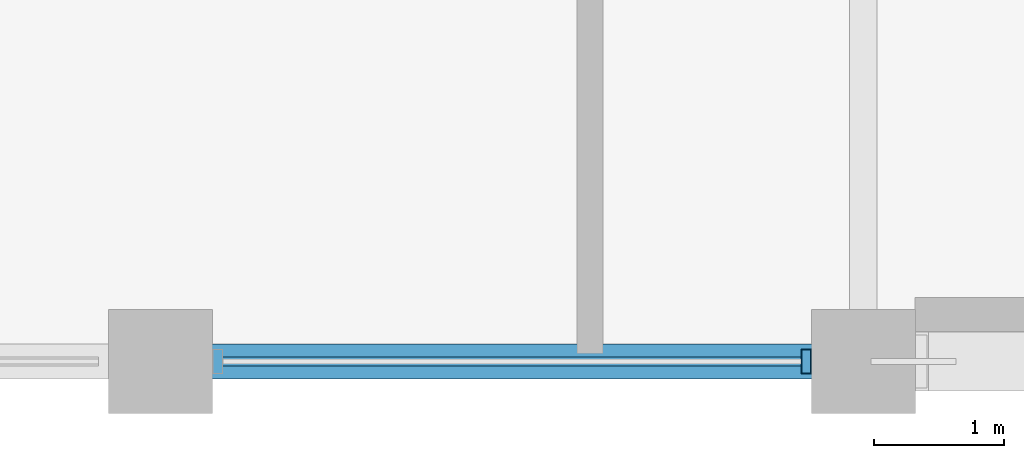
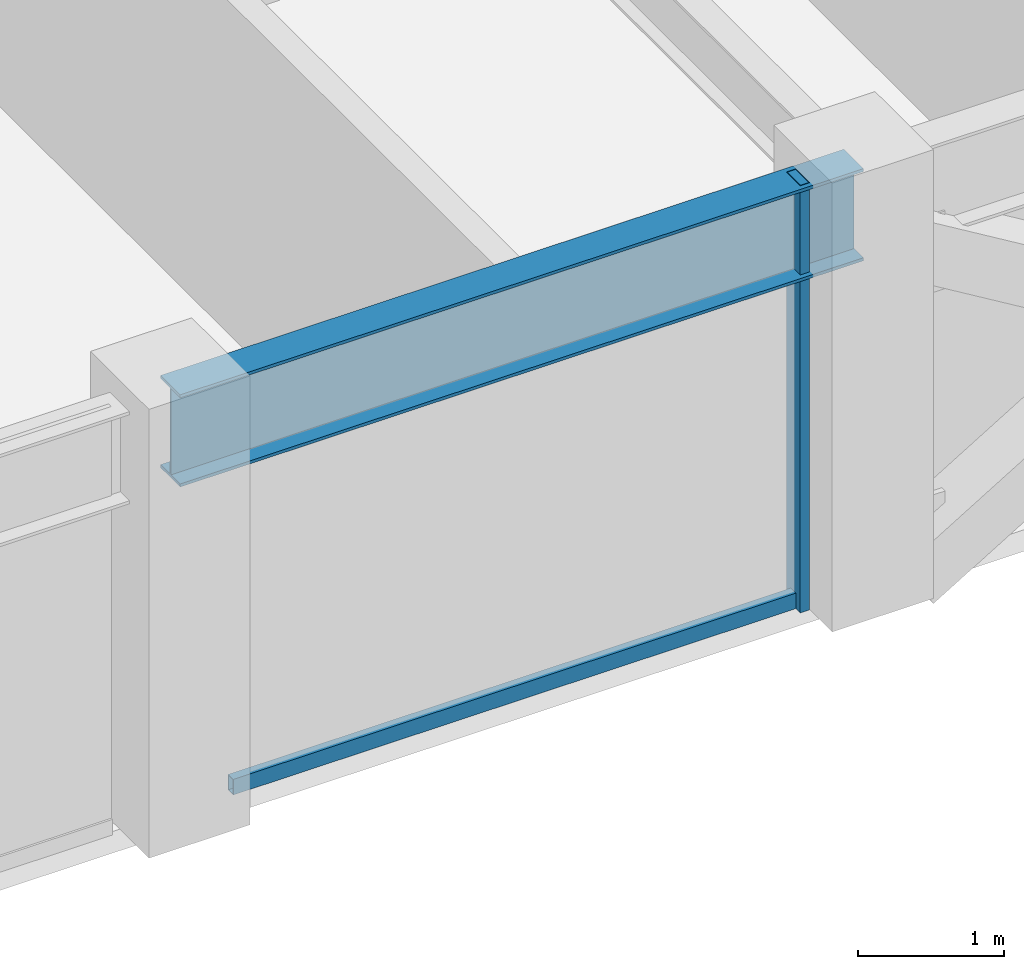
# One storey, part 3 of 32: 2 members, 1 beam, 1 element without a shape of its own.
"""IFC4 building model written with IfcOpenShell, lengths in metres."""

from ifc_helpers import new_model, si_unit, direction, frame, origin, origin_2d, place, context, subcontext, project, spatial, hollow_rectangle, i_section, extrude, material, layer, layer_set, material_profile, profile_set, type_object, element, aggregate, save


model = new_model("IFC4")

# Units and contexts
model_context = context("Model", 3, precision=1e-05, world=origin(), true_north=direction((0.0, 1.0)))
body_context = subcontext(model_context, "Body", "Model", "MODEL_VIEW")
ifc_project = project(units=[si_unit("LENGTHUNIT", "METRE"), si_unit("AREAUNIT", "SQUARE_METRE"), si_unit("VOLUMEUNIT", "CUBIC_METRE"), si_unit("PLANEANGLEUNIT", "RADIAN"), si_unit("MASSUNIT", "GRAM", prefix="KILO")], contexts=[model_context])

# Site, building, storey
site_placement = place(None, origin())
site = spatial("IfcSite", under=ifc_project, at=site_placement, CompositionType="ELEMENT")
building_placement = place(site_placement, origin())
building = spatial("IfcBuilding", under=site, at=building_placement, Name="Surkhivell Harbour Commons", CompositionType="ELEMENT")
storey_placement = place(building_placement, frame((0.0, 0.0, 223.5)))
storey = spatial("IfcBuildingStorey", under=building, at=storey_placement, Name="L58", CompositionType="ELEMENT", Elevation=223.5)

# Beam
ifc_material_1 = material(Name="Steel S355", Category="steel")
ifc_material_profile_1 = material_profile(ifc_material_1, i_section(OverallWidth=0.26806640625, OverallDepth=0.77001953125, WebThickness=0.015625, FlangeThickness=0.025390625, at=origin_2d()), Name="UB762x267x197")
ifc_profile_set_1 = profile_set([ifc_material_profile_1], Name="Steel S355")
beam_type = type_object("IfcBeamType", Name="BM-SPN-762", PredefinedType="SPANDREL", material=ifc_profile_set_1)
beam_placement = place(storey_placement, frame((-16.199951171875, -21.60009765625, 3.18505859375), z_axis=(1.0, 0.0, 0.0), x_axis=(0.0, 1.0, 0.0)))
element("IfcBeam", 1, at=beam_placement, inside=storey, type_object=beam_type, Name="L58 Tube Spandrel (-16.2,-21.6)", PredefinedType="SPANDREL", context=body_context, shape_type="SweptSolid", body=[
    extrude(i_section(OverallWidth=0.26806640625, OverallDepth=0.77001953125, WebThickness=0.015625, FlangeThickness=0.025390625, at=origin_2d()), origin(), (0.0, 0.0, 1.0), 5.39990234375),
])

# Curtain wall, members
ifc_material_2 = material(Name="Anodised pale-metal aluminium and insulated glazing", Category="aluminium")
ifc_layer = layer(ifc_material_2, 0.18994140625)
ifc_layer_set = layer_set([ifc_layer], Name="Anodised pale-metal aluminium and insulated glazing")
curtain_wall_type = type_object("IfcCurtainWallType", Name="CW-SYS-Z3", PredefinedType="NOTDEFINED", material=ifc_layer_set)
curtain_wall_placement = place(storey_placement, origin())
curtain_wall = element("IfcCurtainWall", 2, at=curtain_wall_placement, inside=storey, type_object=curtain_wall_type, Name="L58 Curtain Wall CW-L58-E00S1", PredefinedType="NOTDEFINED")
ifc_material_3 = material(Name="Anodised pale-metal aluminium alloy 6063-T6", Category="aluminium")
ifc_material_profile_2 = material_profile(ifc_material_3, hollow_rectangle(XDim=0.074951171875, YDim=0.18994140625, WallThickness=0.00390625, at=origin_2d()), Name="ALU-MULL-75x190")
ifc_profile_set_2 = profile_set([ifc_material_profile_2], Name="Anodised pale-metal aluminium alloy 6063-T6")
member_type_1 = type_object("IfcMemberType", Name="CWM-190", PredefinedType="MULLION", material=ifc_profile_set_2)
member_1_placement = place(storey_placement, frame((-11.239501953125, -21.60009765625, 0.0), z_axis=(0.0, 0.0, 1.0), x_axis=(1.0, 0.0, 0.0)))
member_1 = element("IfcMember", 3, at=member_1_placement, type_object=member_type_1, Name="CW-Z3 mullion 3", PredefinedType="MULLION", context=body_context, shape_type="SweptSolid", body=[
    extrude(hollow_rectangle(XDim=0.074951171875, YDim=0.18994140625, WallThickness=0.00390625, at=origin_2d()), origin(), (0.0, 0.0, 1.0), 3.570068359375),
])
ifc_material_4 = material(Name="Champagne anodised aluminium alloy 6063-T6", Category="aluminium")
ifc_material_profile_3 = material_profile(ifc_material_4, hollow_rectangle(XDim=0.070068359375, YDim=0.1298828125, WallThickness=0.00341796875, at=origin_2d()), Name="ALU-TRAN-70x130")
ifc_profile_set_3 = profile_set([ifc_material_profile_3], Name="Champagne anodised aluminium alloy 6063-T6")
member_type_2 = type_object("IfcMemberType", Name="CWT-130", PredefinedType="USERDEFINED", material=ifc_profile_set_3)
member_2_placement = place(storey_placement, frame((-15.722900390625, -21.60009765625, 0.06494140625), z_axis=(1.0, 0.0, 0.0), x_axis=(0.0, 1.0, 0.0)))
member_2 = element("IfcMember", 4, at=member_2_placement, type_object=member_type_2, Name="CW-Z3 transom 2.1", ObjectType="TRANSOM", PredefinedType="USERDEFINED", context=body_context, shape_type="SweptSolid", body=[
    extrude(hollow_rectangle(XDim=0.070068359375, YDim=0.1298828125, WallThickness=0.00341796875, at=origin_2d()), origin(), (0.0, 0.0, 1.0), 4.44580078125),
])
aggregate(curtain_wall, [member_1, member_2])

save(model, "model.ifc")
